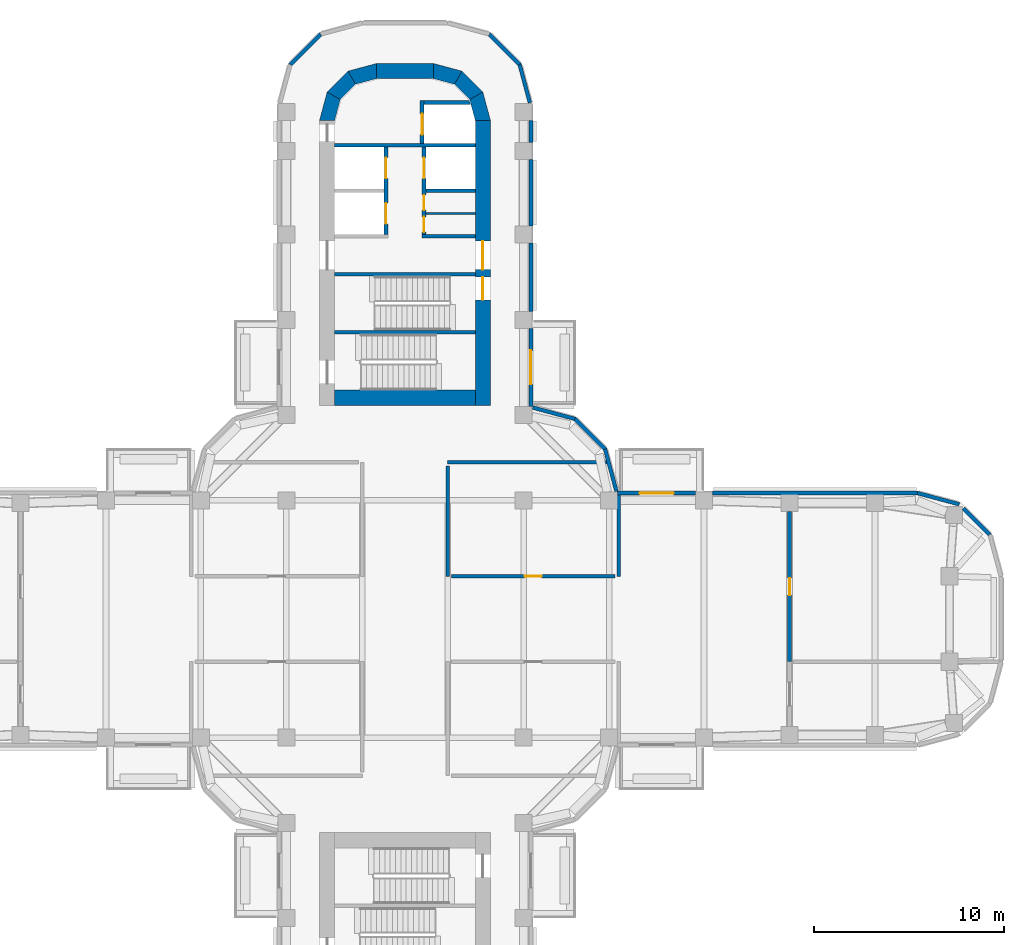
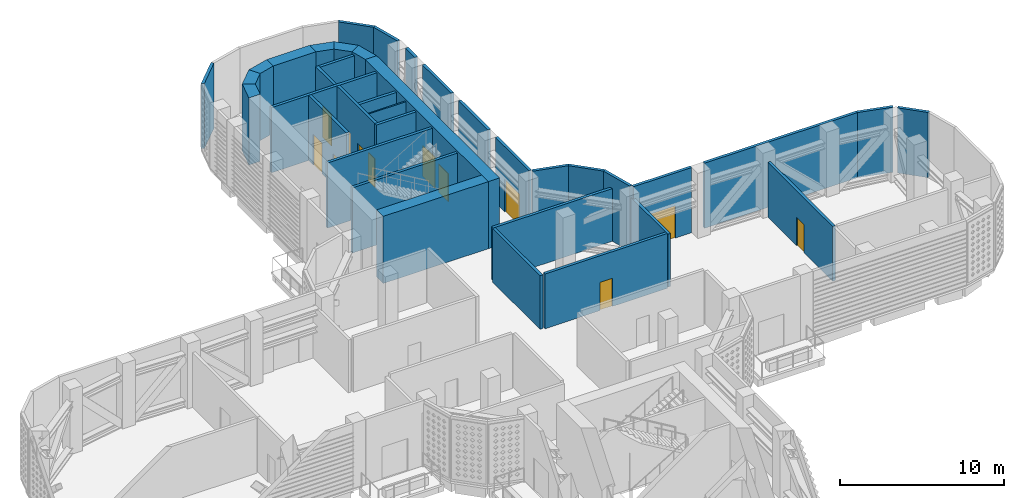
# One storey, part 7 of 20: 38 walls, 12 doors, 12 openings.
"""IFC4 building model written with IfcOpenShell, lengths in metres."""

from ifc_helpers import new_model, si_unit, direction, frame, frame_2d, origin, place, context, subcontext, project, spatial, polyline, rectangle, outline, extrude, material, layer, layer_set, type_object, element, fill, save


model = new_model("IFC4")

# Units and contexts
model_context = context("Model", 3, precision=1e-05, world=origin(), true_north=direction((0.0, 1.0)))
body_context = subcontext(model_context, "Body", "Model", "MODEL_VIEW")
ifc_project = project(units=[si_unit("LENGTHUNIT", "METRE"), si_unit("AREAUNIT", "SQUARE_METRE"), si_unit("VOLUMEUNIT", "CUBIC_METRE"), si_unit("PLANEANGLEUNIT", "RADIAN"), si_unit("MASSUNIT", "GRAM", prefix="KILO")], contexts=[model_context])

# Site, building, storey
site_placement = place(None, origin())
site = spatial("IfcSite", under=ifc_project, at=site_placement, CompositionType="ELEMENT")
building_placement = place(site_placement, origin())
building = spatial("IfcBuilding", under=site, at=building_placement, Name="Zarbagh Exchange Tower", CompositionType="ELEMENT")
storey_placement = place(building_placement, frame((0.0, 0.0, 136.0)))
storey = spatial("IfcBuildingStorey", under=building, at=storey_placement, Name="L32", CompositionType="ELEMENT", Elevation=136.0)

# Walls
ifc_material_1 = material(Name="Dense blockwork", Category="masonry")
ifc_layer_1 = layer(ifc_material_1, 0.10009765625)
ifc_layer_set_1 = layer_set([ifc_layer_1], Name="Core partition 100 mm blockwork")
wall_type_1 = type_object("IfcWallType", Name="Core partition 100 mm blockwork", PredefinedType="PARTITIONING", material=ifc_layer_set_1)
wall_1_placement = place(storey_placement, frame((1.10009765625, 21.35009765625, 0.0), z_axis=(0.0, 0.0, 1.0), x_axis=(1.0, 0.0, 0.0)))
element("IfcWall", 1, at=wall_1_placement, inside=storey, type_object=wall_type_1, Name="North core partition wall CUT-E-700", PredefinedType="PARTITIONING", context=body_context, shape_type="SweptSolid", body=[
    extrude(rectangle(XDim=2.599853515625, YDim=0.10009765625, at=frame_2d((1.2998046875, 0.0))), origin(), (0.0, 0.0, 1.0), 4.85009765625),
])
ifc_material_2 = material(Name="Concrete block partition", Category="concrete")
ifc_layer_2 = layer(ifc_material_2, 0.199951171875)
ifc_layer_set_2 = layer_set([ifc_layer_2], Name="Fire-rated block partition 200 EI 60")
wall_type_2 = type_object("IfcWallType", Name="Fire-rated block partition 200 EI 60", PredefinedType="PARTITIONING", material=ifc_layer_set_2)
wall_2_placement = place(storey_placement, frame((10.84814453125, 8.25, 0.0), z_axis=(0.0, 0.0, 1.0), x_axis=(-1.0, 0.0, 0.0)))
element("IfcWall", 2, at=wall_2_placement, inside=storey, type_object=wall_type_2, Name="WL-L32-W001", PredefinedType="PARTITIONING", context=body_context, shape_type="SweptSolid", body=[
    extrude(rectangle(XDim=8.59814453125, YDim=0.199951171875, at=frame_2d((4.299072265625, 0.0))), origin(), (0.0, 0.0, 1.0), 3.929931640625),
])
wall_3_placement = place(storey_placement, frame((2.25, 8.050048828125, 0.0), z_axis=(0.0, 0.0, 1.0), x_axis=(0.0, -1.0, 0.0)))
element("IfcWall", 3, at=wall_3_placement, inside=storey, type_object=wall_type_2, Name="WL-L32-W002", PredefinedType="PARTITIONING", context=body_context, shape_type="SweptSolid", body=[
    extrude(rectangle(XDim=5.800048828125, YDim=0.199951171875, at=frame_2d((2.89990234375, 0.0))), origin(), (0.0, 0.0, 1.0), 3.994384765625),
])
wall_4_placement = place(storey_placement, frame((11.25, 6.75, 0.0), z_axis=(0.0, 0.0, 1.0), x_axis=(0.0, -1.0, 0.0)))
element("IfcWall", 4, at=wall_4_placement, inside=storey, type_object=wall_type_2, Name="WL-L32-W009", PredefinedType="PARTITIONING", context=body_context, shape_type="SweptSolid", body=[
    extrude(rectangle(XDim=4.5, YDim=0.199951171875, at=frame_2d((2.25, 0.0))), origin(), (0.0, 0.0, 1.0), 3.929931640625),
])

# Wall, opening, door
wall_5_placement = place(storey_placement, frame((2.449951171875, 2.25, 0.0), z_axis=(0.0, 0.0, 1.0), x_axis=(1.0, 0.0, 0.0)))
wall_5 = element("IfcWall", 5, at=wall_5_placement, inside=storey, type_object=wall_type_2, Name="WL-L32-W010", PredefinedType="PARTITIONING", context=body_context, shape_type="SweptSolid", body=[
    extrude(rectangle(XDim=8.60009765625, YDim=0.199951171875, at=frame_2d((4.300048828125, 0.0))), origin(), (0.0, 0.0, 1.0), 4.080810546875),
])
opening_1_placement = place(wall_5_placement, frame((3.85009765625, 0.0, 0.0)))
opening_1 = element("IfcOpeningElement", 6, at=opening_1_placement, cuts=wall_5, Name="Opening D01", PredefinedType="OPENING", context=body_context, shape_type="SweptSolid", body=[
    extrude(rectangle(XDim=0.89990234375, YDim=2.10009765625, at=frame_2d((0.449951171875, 1.050048828125))), frame((0.0, 0.10986328125, 0.0), z_axis=(0.0, -1.0, 0.0), x_axis=(1.0, 0.0, 0.0)), (0.0, 0.0, 1.0), 0.219970703125),
])
ifc_material_3 = material(Name="Steel door set", Category="steel")
door_type_1 = type_object("IfcDoorType", Name="Door single 900x2100 EI 60", OperationType="SINGLE_SWING_LEFT", PredefinedType="DOOR", material=ifc_material_3)
door_1_placement = place(opening_1_placement, origin())
door_1 = element("IfcDoor", 7, at=door_1_placement, inside=storey, type_object=door_type_1, Name="D01", OperationType="SINGLE_SWING_LEFT", OverallHeight=2.10009765625, OverallWidth=0.89990234375, PredefinedType="DOOR", context=body_context, shape_type="SweptSolid", body=[
    extrude(rectangle(XDim=0.89990234375, YDim=2.10009765625, at=frame_2d((0.449951171875, 1.050048828125))), frame((0.0, 0.02490234375, 0.0), z_axis=(0.0, -1.0, 0.0), x_axis=(1.0, 0.0, 0.0)), (0.0, 0.0, 1.0), 0.050048828125),
])
fill(opening_1, door_1)

wall_6_placement = place(storey_placement, frame((20.25, 5.659912109375, 0.0), z_axis=(0.0, 0.0, 1.0), x_axis=(0.0, -1.0, 0.0)))
wall_6 = element("IfcWall", 8, at=wall_6_placement, inside=storey, type_object=wall_type_2, Name="WL-L32-W018", PredefinedType="PARTITIONING", context=body_context, shape_type="SweptSolid", body=[
    extrude(rectangle(XDim=7.909912109375, YDim=0.199951171875, at=frame_2d((3.955078125, 0.0))), origin(), (0.0, 0.0, 1.0), 4.080810546875),
])
opening_2_placement = place(wall_6_placement, frame((3.5048828125, 0.0, 0.0)))
opening_2 = element("IfcOpeningElement", 9, at=opening_2_placement, cuts=wall_6, Name="Opening D06", PredefinedType="OPENING", context=body_context, shape_type="SweptSolid", body=[
    extrude(rectangle(XDim=0.89990234375, YDim=2.10009765625, at=frame_2d((0.449951171875, 1.050048828125))), frame((0.0, 0.10986328125, 0.0), z_axis=(0.0, -1.0, 0.0), x_axis=(1.0, 0.0, 0.0)), (0.0, 0.0, 1.0), 0.219970703125),
])
door_2_placement = place(opening_2_placement, origin())
door_2 = element("IfcDoor", 10, at=door_2_placement, inside=storey, type_object=door_type_1, Name="D06", OperationType="SINGLE_SWING_LEFT", OverallHeight=2.10009765625, OverallWidth=0.89990234375, PredefinedType="DOOR", context=body_context, shape_type="SweptSolid", body=[
    extrude(rectangle(XDim=0.89990234375, YDim=2.10009765625, at=frame_2d((0.449951171875, 1.050048828125))), frame((0.0, 0.02490234375, 0.0), z_axis=(0.0, -1.0, 0.0), x_axis=(1.0, 0.0, 0.0)), (0.0, 0.0, 1.0), 0.050048828125),
])
fill(opening_2, door_2)

# Walls
ifc_material_4 = material(Name="Precast concrete C50/60", Category="concrete")
ifc_layer_3 = layer(ifc_material_4, 0.199951171875)
ifc_layer_set_3 = layer_set([ifc_layer_3], Name="Plant wall, precast concrete C50/60")
wall_type_3 = type_object("IfcWallType", Name="Plant wall, precast concrete C50/60", PredefinedType="SOLIDWALL", material=ifc_layer_set_3)
wall_7_placement = place(storey_placement, origin())
element("IfcWall", 11, at=wall_7_placement, inside=storey, type_object=wall_type_3, Name="PW55 plant wall", PredefinedType="SOLIDWALL", context=body_context, shape_type="SweptSolid", body=[
    extrude(outline(polyline([(30.879150390625, 4.48974609375), (29.46875, 5.900146484375), (29.327392578125, 5.7587890625), (30.699951171875, 4.38623046875), (30.879150390625, 4.48974609375)])), origin(), (0.0, 0.0, 1.0), 4.85009765625),
])
wall_8_placement = place(storey_placement, origin())
element("IfcWall", 12, at=wall_8_placement, inside=storey, type_object=wall_type_3, Name="PW56 plant wall", PredefinedType="SOLIDWALL", context=body_context, shape_type="SweptSolid", body=[
    extrude(outline(polyline([(29.23974609375, 6.129150390625), (26.997314453125, 6.72998046875), (26.970947265625, 6.530029296875), (29.13623046875, 5.949951171875), (29.23974609375, 6.129150390625)])), origin(), (0.0, 0.0, 1.0), 4.85009765625),
])
wall_9_placement = place(storey_placement, origin())
element("IfcWall", 13, at=wall_9_placement, inside=storey, type_object=wall_type_3, Name="PW57 plant wall", PredefinedType="SOLIDWALL", context=body_context, shape_type="SweptSolid", body=[
    extrude(outline(polyline([(26.997314453125, 6.72998046875), (16.199951171875, 6.72998046875), (16.199951171875, 6.530029296875), (26.970947265625, 6.530029296875), (26.997314453125, 6.72998046875)])), origin(), (0.0, 0.0, 1.0), 4.85009765625),
])
wall_10_placement = place(storey_placement, origin())
element("IfcWall", 14, at=wall_10_placement, inside=storey, type_object=wall_type_3, Name="PW17 plant wall", PredefinedType="SOLIDWALL", context=body_context, shape_type="SweptSolid", body=[
    extrude(outline(polyline([(11.228759765625, 6.75244140625), (10.629150390625, 8.98974609375), (10.449951171875, 8.88623046875), (11.035400390625, 6.70068359375), (11.228759765625, 6.75244140625)])), origin(), (0.0, 0.0, 1.0), 4.85009765625),
])
wall_11_placement = place(storey_placement, origin())
element("IfcWall", 15, at=wall_11_placement, inside=storey, type_object=wall_type_3, Name="PW18 plant wall", PredefinedType="SOLIDWALL", context=body_context, shape_type="SweptSolid", body=[
    extrude(outline(polyline([(10.629150390625, 8.98974609375), (8.98974609375, 10.629150390625), (8.88623046875, 10.449951171875), (10.449951171875, 8.88623046875), (10.629150390625, 8.98974609375)])), origin(), (0.0, 0.0, 1.0), 4.85009765625),
])
wall_12_placement = place(storey_placement, origin())
element("IfcWall", 16, at=wall_12_placement, inside=storey, type_object=wall_type_3, Name="PW19 plant wall", PredefinedType="SOLIDWALL", context=body_context, shape_type="SweptSolid", body=[
    extrude(outline(polyline([(8.98974609375, 10.629150390625), (6.75244140625, 11.228759765625), (6.70068359375, 11.035400390625), (8.88623046875, 10.449951171875), (8.98974609375, 10.629150390625)])), origin(), (0.0, 0.0, 1.0), 4.85009765625),
])
wall_13_placement = place(storey_placement, origin())
element("IfcWall", 17, at=wall_13_placement, inside=storey, type_object=wall_type_3, Name="PW58 plant wall", PredefinedType="SOLIDWALL", context=body_context, shape_type="SweptSolid", body=[
    extrude(outline(polyline([(6.72998046875, 16.199951171875), (6.72998046875, 19.800048828125), (6.530029296875, 19.800048828125), (6.530029296875, 16.199951171875), (6.72998046875, 16.199951171875)])), origin(), (0.0, 0.0, 1.0), 4.85009765625),
])
wall_14_placement = place(storey_placement, origin())
element("IfcWall", 18, at=wall_14_placement, inside=storey, type_object=wall_type_3, Name="PW58 plant wall", PredefinedType="SOLIDWALL", context=body_context, shape_type="SweptSolid", body=[
    extrude(outline(polyline([(6.72998046875, 20.699951171875), (6.72998046875, 24.199951171875), (6.530029296875, 24.199951171875), (6.530029296875, 20.699951171875), (6.72998046875, 20.699951171875)])), origin(), (0.0, 0.0, 1.0), 4.85009765625),
])
wall_15_placement = place(storey_placement, origin())
element("IfcWall", 19, at=wall_15_placement, inside=storey, type_object=wall_type_3, Name="PW58 plant wall", PredefinedType="SOLIDWALL", context=body_context, shape_type="SweptSolid", body=[
    extrude(outline(polyline([(6.72998046875, 25.10009765625), (6.72998046875, 26.25), (6.530029296875, 26.25), (6.530029296875, 25.10009765625), (6.72998046875, 25.10009765625)])), origin(), (0.0, 0.0, 1.0), 4.85009765625),
])
wall_16_placement = place(storey_placement, origin())
element("IfcWall", 20, at=wall_16_placement, inside=storey, type_object=wall_type_3, Name="PW59 plant wall", PredefinedType="SOLIDWALL", context=body_context, shape_type="SweptSolid", body=[
    extrude(outline(polyline([(6.675048828125, 27.202392578125), (6.129150390625, 29.23974609375), (5.949951171875, 29.13623046875), (6.48193359375, 27.150634765625), (6.675048828125, 27.202392578125)])), origin(), (0.0, 0.0, 1.0), 4.85009765625),
])
wall_17_placement = place(storey_placement, origin())
element("IfcWall", 21, at=wall_17_placement, inside=storey, type_object=wall_type_3, Name="PW60 plant wall", PredefinedType="SOLIDWALL", context=body_context, shape_type="SweptSolid", body=[
    extrude(outline(polyline([(6.129150390625, 29.23974609375), (4.48974609375, 30.879150390625), (4.38623046875, 30.699951171875), (5.949951171875, 29.13623046875), (6.129150390625, 29.23974609375)])), origin(), (0.0, 0.0, 1.0), 4.85009765625),
])
wall_18_placement = place(storey_placement, origin())
element("IfcWall", 22, at=wall_18_placement, inside=storey, type_object=wall_type_3, Name="PW64 plant wall", PredefinedType="SOLIDWALL", context=body_context, shape_type="SweptSolid", body=[
    extrude(outline(polyline([(-4.48974609375, 30.879150390625), (-6.129150390625, 29.23974609375), (-5.949951171875, 29.13623046875), (-4.38623046875, 30.699951171875), (-4.48974609375, 30.879150390625)])), origin(), (0.0, 0.0, 1.0), 4.85009765625),
])
ifc_material_5 = material(Name="Concrete C60/75", Category="concrete")
ifc_layer_4 = layer(ifc_material_5, 0.800048828125)
ifc_layer_set_4 = layer_set([ifc_layer_4], Name="RC core corner wall 800 C60/75")
wall_type_4 = type_object("IfcWallType", Name="RC core corner wall 800 C60/75", PredefinedType="SHEAR", material=ifc_layer_set_4)
wall_19_placement = place(storey_placement, origin())
element("IfcWall", 23, at=wall_19_placement, inside=storey, type_object=wall_type_4, Name="CW4 core N corner W", PredefinedType="SHEAR", context=body_context, shape_type="SweptSolid", body=[
    extrude(outline(polyline([(-4.5, 26.25), (-4.09814453125, 27.75), (-3.4052734375, 27.35009765625), (-3.699951171875, 26.25), (-4.5, 26.25)])), origin(), (0.0, 0.0, 1.0), 5.0),
])
wall_20_placement = place(storey_placement, origin())
element("IfcWall", 24, at=wall_20_placement, inside=storey, type_object=wall_type_4, Name="CW4 core N corner W", PredefinedType="SHEAR", context=body_context, shape_type="SweptSolid", body=[
    extrude(outline(polyline([(-4.09814453125, 27.75), (-3.0, 28.84814453125), (-2.60009765625, 28.1552734375), (-3.4052734375, 27.35009765625), (-4.09814453125, 27.75)])), origin(), (0.0, 0.0, 1.0), 5.0),
])
wall_21_placement = place(storey_placement, origin())
element("IfcWall", 25, at=wall_21_placement, inside=storey, type_object=wall_type_4, Name="CW4 core N corner W", PredefinedType="SHEAR", context=body_context, shape_type="SweptSolid", body=[
    extrude(outline(polyline([(-3.0, 28.84814453125), (-1.5, 29.25), (-1.5, 28.449951171875), (-2.60009765625, 28.1552734375), (-3.0, 28.84814453125)])), origin(), (0.0, 0.0, 1.0), 5.0),
])
wall_22_placement = place(storey_placement, origin())
element("IfcWall", 26, at=wall_22_placement, inside=storey, type_object=wall_type_4, Name="CW4 core N corner E", PredefinedType="SHEAR", context=body_context, shape_type="SweptSolid", body=[
    extrude(outline(polyline([(4.5, 26.25), (4.09814453125, 27.75), (3.4052734375, 27.35009765625), (3.699951171875, 26.25), (4.5, 26.25)])), origin(), (0.0, 0.0, 1.0), 5.0),
])
wall_23_placement = place(storey_placement, origin())
element("IfcWall", 27, at=wall_23_placement, inside=storey, type_object=wall_type_4, Name="CW4 core N corner E", PredefinedType="SHEAR", context=body_context, shape_type="SweptSolid", body=[
    extrude(outline(polyline([(4.09814453125, 27.75), (3.0, 28.84814453125), (2.60009765625, 28.1552734375), (3.4052734375, 27.35009765625), (4.09814453125, 27.75)])), origin(), (0.0, 0.0, 1.0), 5.0),
])
wall_24_placement = place(storey_placement, origin())
element("IfcWall", 28, at=wall_24_placement, inside=storey, type_object=wall_type_4, Name="CW4 core N corner E", PredefinedType="SHEAR", context=body_context, shape_type="SweptSolid", body=[
    extrude(outline(polyline([(3.0, 28.84814453125), (1.5, 29.25), (1.5, 28.449951171875), (2.60009765625, 28.1552734375), (3.0, 28.84814453125)])), origin(), (0.0, 0.0, 1.0), 5.0),
])

# Wall, openings, doors
ifc_layer_5 = layer(ifc_material_5, 0.800048828125)
ifc_layer_set_5 = layer_set([ifc_layer_5], Name="RC core wall 800 C60/75")
wall_type_5 = type_object("IfcWallType", Name="RC core wall 800 C60/75", PredefinedType="SHEAR", material=ifc_layer_set_5)
wall_25_placement = place(storey_placement, frame((4.10009765625, 11.25, 0.0), z_axis=(0.0, 0.0, 1.0), x_axis=(0.0, 1.0, 0.0)))
wall_25 = element("IfcWall", 29, at=wall_25_placement, inside=storey, type_object=wall_type_5, Name="CW3 core N E", PredefinedType="SHEAR", context=body_context, shape_type="SweptSolid", body=[
    extrude(rectangle(XDim=15.0, YDim=0.800048828125, at=frame_2d((7.5, 0.0))), origin(), (0.0, 0.0, 1.0), 5.0),
])
opening_3_placement = place(wall_25_placement, frame((7.14990234375, 0.0, 0.0)))
opening_3 = element("IfcOpeningElement", 30, at=opening_3_placement, cuts=wall_25, Name="Opening CD1-1500", PredefinedType="OPENING", context=body_context, shape_type="SweptSolid", body=[
    extrude(rectangle(XDim=1.5, YDim=2.300048828125, at=frame_2d((0.75, 1.14990234375))), frame((0.0, 0.409912109375, 0.0), z_axis=(0.0, -1.0, 0.0), x_axis=(1.0, 0.0, 0.0)), (0.0, 0.0, 1.0), 0.820068359375),
])
opening_4_placement = place(wall_25_placement, frame((5.550048828125, 0.0, 0.0)))
opening_4 = element("IfcOpeningElement", 31, at=opening_4_placement, cuts=wall_25, Name="Opening SD1-1200", PredefinedType="OPENING", context=body_context, shape_type="SweptSolid", body=[
    extrude(rectangle(XDim=1.199951171875, YDim=2.10009765625, at=frame_2d((0.60009765625, 1.050048828125))), frame((0.0, 0.409912109375, 0.0), z_axis=(0.0, -1.0, 0.0), x_axis=(1.0, 0.0, 0.0)), (0.0, 0.0, 1.0), 0.820068359375),
])
ifc_material_6 = material(Name="Steel", Category="steel")
door_type_2 = type_object("IfcDoorType", Name="Exit stair door 1200 x 2100", OperationType="NOTDEFINED", PredefinedType="DOOR", material=ifc_material_6)
door_3_placement = place(opening_4_placement, origin())
door_3 = element("IfcDoor", 32, at=door_3_placement, inside=storey, type_object=door_type_2, Name="North core stair door ST1", OperationType="SINGLE_SWING_LEFT", OverallHeight=2.10009765625, OverallWidth=1.199951171875, PredefinedType="DOOR", context=body_context, shape_type="SweptSolid", body=[
    extrude(rectangle(XDim=1.199951171875, YDim=2.10009765625, at=frame_2d((0.60009765625, 1.050048828125))), frame((0.0, 0.02490234375, 0.0), z_axis=(0.0, -1.0, 0.0), x_axis=(1.0, 0.0, 0.0)), (0.0, 0.0, 1.0), 0.050048828125),
])
fill(opening_4, door_3)
door_type_3 = type_object("IfcDoorType", Name="Lift lobby double door 1500 x 2300", OperationType="NOTDEFINED", PredefinedType="DOOR", material=ifc_material_6)
door_4_placement = place(opening_3_placement, origin())
door_4 = element("IfcDoor", 33, at=door_4_placement, inside=storey, type_object=door_type_3, Name="North core lift lobby door LOBBY-E", OperationType="DOUBLE_DOOR_SINGLE_SWING", OverallHeight=2.300048828125, OverallWidth=1.5, PredefinedType="DOOR", context=body_context, shape_type="SweptSolid", body=[
    extrude(rectangle(XDim=1.5, YDim=2.300048828125, at=frame_2d((0.75, 1.14990234375))), frame((0.0, 0.02490234375, 0.0), z_axis=(0.0, -1.0, 0.0), x_axis=(1.0, 0.0, 0.0)), (0.0, 0.0, 1.0), 0.050048828125),
])
fill(opening_3, door_4)

# Walls
wall_26_placement = place(storey_placement, frame((-3.699951171875, 11.64990234375, 0.0), z_axis=(0.0, 0.0, 1.0), x_axis=(1.0, 0.0, 0.0)))
element("IfcWall", 34, at=wall_26_placement, inside=storey, type_object=wall_type_5, Name="CW3 core N inner end", PredefinedType="SHEAR", context=body_context, shape_type="SweptSolid", body=[
    extrude(rectangle(XDim=7.39990234375, YDim=0.800048828125, at=frame_2d((3.699951171875, 0.0))), origin(), (0.0, 0.0, 1.0), 5.0),
])
wall_27_placement = place(storey_placement, frame((-1.5, 28.85009765625, 0.0), z_axis=(0.0, 0.0, 1.0), x_axis=(1.0, 0.0, 0.0)))
element("IfcWall", 35, at=wall_27_placement, inside=storey, type_object=wall_type_5, Name="CW3 core N outer end", PredefinedType="SHEAR", context=body_context, shape_type="SweptSolid", body=[
    extrude(rectangle(XDim=3.0, YDim=0.800048828125, at=frame_2d((1.5, 0.0))), origin(), (0.0, 0.0, 1.0), 5.0),
])

# Wall, openings, doors
ifc_layer_6 = layer(ifc_material_1, 0.199951171875)
ifc_layer_set_6 = layer_set([ifc_layer_6], Name="Shaft wall 200 mm blockwork")
wall_type_6 = type_object("IfcWallType", Name="Shaft wall 200 mm blockwork", PredefinedType="PARTITIONING", material=ifc_layer_set_6)
wall_28_placement = place(storey_placement, frame((-1.0, 24.85009765625, 0.0), z_axis=(0.0, 0.0, 1.0), x_axis=(0.0, -1.0, 0.0)))
wall_28 = element("IfcWall", 36, at=wall_28_placement, inside=storey, type_object=wall_type_6, Name="North core shaft wall LW-W", PredefinedType="PARTITIONING", context=body_context, shape_type="SweptSolid", body=[
    extrude(rectangle(XDim=4.60009765625, YDim=0.199951171875, at=frame_2d((2.300048828125, 0.0))), origin(), (0.0, 0.0, 1.0), 4.85009765625),
])
opening_5_placement = place(wall_28_placement, frame((0.550048828125, 0.0, 0.0)))
opening_5 = element("IfcOpeningElement", 37, at=opening_5_placement, cuts=wall_28, Name="Opening LD-1100", PredefinedType="OPENING", context=body_context, shape_type="SweptSolid", body=[
    extrude(rectangle(XDim=1.10009765625, YDim=2.300048828125, at=frame_2d((0.550048828125, 1.14990234375))), frame((0.0, 0.10986328125, 0.0), z_axis=(0.0, -1.0, 0.0), x_axis=(1.0, 0.0, 0.0)), (0.0, 0.0, 1.0), 0.219970703125),
])
opening_6_placement = place(wall_28_placement, frame((2.949951171875, 0.0, 0.0)))
opening_6 = element("IfcOpeningElement", 38, at=opening_6_placement, cuts=wall_28, Name="Opening LD-1100", PredefinedType="OPENING", context=body_context, shape_type="SweptSolid", body=[
    extrude(rectangle(XDim=1.10009765625, YDim=2.300048828125, at=frame_2d((0.550048828125, 1.14990234375))), frame((0.0, 0.10986328125, 0.0), z_axis=(0.0, -1.0, 0.0), x_axis=(1.0, 0.0, 0.0)), (0.0, 0.0, 1.0), 0.219970703125),
])
ifc_material_7 = material(Name="Stainless steel", Category="steel")
door_type_4 = type_object("IfcDoorType", Name="Lift landing door 1100 x 2300", OperationType="NOTDEFINED", PredefinedType="DOOR", material=ifc_material_7)
door_5_placement = place(opening_5_placement, origin())
door_5 = element("IfcDoor", 39, at=door_5_placement, inside=storey, type_object=door_type_4, Name="North core lift landing door LD-P-N1", OperationType="DOUBLE_DOOR_SLIDING", OverallHeight=2.300048828125, OverallWidth=1.10009765625, PredefinedType="DOOR", context=body_context, shape_type="SweptSolid", body=[
    extrude(rectangle(XDim=1.10009765625, YDim=2.300048828125, at=frame_2d((0.550048828125, 1.14990234375))), frame((0.0, 0.02490234375, 0.0), z_axis=(0.0, -1.0, 0.0), x_axis=(1.0, 0.0, 0.0)), (0.0, 0.0, 1.0), 0.050048828125),
])
fill(opening_5, door_5)
door_6_placement = place(opening_6_placement, origin())
door_6 = element("IfcDoor", 40, at=door_6_placement, inside=storey, type_object=door_type_4, Name="North core lift landing door LD-P-N2", OperationType="DOUBLE_DOOR_SLIDING", OverallHeight=2.300048828125, OverallWidth=1.10009765625, PredefinedType="DOOR", context=body_context, shape_type="SweptSolid", body=[
    extrude(rectangle(XDim=1.10009765625, YDim=2.300048828125, at=frame_2d((0.550048828125, 1.14990234375))), frame((0.0, 0.02490234375, 0.0), z_axis=(0.0, -1.0, 0.0), x_axis=(1.0, 0.0, 0.0)), (0.0, 0.0, 1.0), 0.050048828125),
])
fill(opening_6, door_6)

# Wall
wall_29_placement = place(storey_placement, frame((0.89990234375, 20.14990234375, 0.0), z_axis=(0.0, 0.0, 1.0), x_axis=(1.0, 0.0, 0.0)))
element("IfcWall", 41, at=wall_29_placement, inside=storey, type_object=wall_type_6, Name="North core shaft wall AB-E", PredefinedType="PARTITIONING", context=body_context, shape_type="SweptSolid", body=[
    extrude(rectangle(XDim=2.800048828125, YDim=0.199951171875, at=frame_2d((1.39990234375, 0.0))), origin(), (0.0, 0.0, 1.0), 4.85009765625),
])

# Wall, openings, doors
wall_30_placement = place(storey_placement, frame((1.0, 24.85009765625, 0.0), z_axis=(0.0, 0.0, 1.0), x_axis=(0.0, -1.0, 0.0)))
wall_30 = element("IfcWall", 42, at=wall_30_placement, inside=storey, type_object=wall_type_6, Name="North core shaft wall LW-E", PredefinedType="PARTITIONING", context=body_context, shape_type="SweptSolid", body=[
    extrude(rectangle(XDim=4.60009765625, YDim=0.199951171875, at=frame_2d((2.300048828125, 0.0))), origin(), (0.0, 0.0, 1.0), 4.85009765625),
])
opening_7_placement = place(wall_30_placement, frame((0.550048828125, 0.0, 0.0)))
opening_7 = element("IfcOpeningElement", 43, at=opening_7_placement, cuts=wall_30, Name="Opening LD-1100", PredefinedType="OPENING", context=body_context, shape_type="SweptSolid", body=[
    extrude(rectangle(XDim=1.10009765625, YDim=2.300048828125, at=frame_2d((0.550048828125, 1.14990234375))), frame((0.0, 0.10986328125, 0.0), z_axis=(0.0, -1.0, 0.0), x_axis=(1.0, 0.0, 0.0)), (0.0, 0.0, 1.0), 0.219970703125),
])
opening_8_placement = place(wall_30_placement, frame((2.52490234375, 0.0, 0.0)))
opening_8 = element("IfcOpeningElement", 44, at=opening_8_placement, cuts=wall_30, Name="Opening CD3-800", PredefinedType="OPENING", context=body_context, shape_type="SweptSolid", body=[
    extrude(rectangle(XDim=0.800048828125, YDim=2.10009765625, at=frame_2d((0.39990234375, 1.050048828125))), frame((0.0, 0.10986328125, 0.0), z_axis=(0.0, -1.0, 0.0), x_axis=(1.0, 0.0, 0.0)), (0.0, 0.0, 1.0), 0.219970703125),
])
opening_9_placement = place(wall_30_placement, frame((3.675048828125, 0.0, 0.0)))
opening_9 = element("IfcOpeningElement", 45, at=opening_9_placement, cuts=wall_30, Name="Opening CD3-800", PredefinedType="OPENING", context=body_context, shape_type="SweptSolid", body=[
    extrude(rectangle(XDim=0.800048828125, YDim=2.10009765625, at=frame_2d((0.39990234375, 1.050048828125))), frame((0.0, 0.10986328125, 0.0), z_axis=(0.0, -1.0, 0.0), x_axis=(1.0, 0.0, 0.0)), (0.0, 0.0, 1.0), 0.219970703125),
])
door_type_5 = type_object("IfcDoorType", Name="Core room door 800 x 2100", OperationType="NOTDEFINED", PredefinedType="DOOR", material=ifc_material_6)
door_7_placement = place(opening_8_placement, origin())
door_7 = element("IfcDoor", 46, at=door_7_placement, inside=storey, type_object=door_type_5, Name="North core Mechanical store door RD-E-0", OperationType="SINGLE_SWING_LEFT", OverallHeight=2.10009765625, OverallWidth=0.800048828125, PredefinedType="DOOR", context=body_context, shape_type="SweptSolid", body=[
    extrude(rectangle(XDim=0.800048828125, YDim=2.10009765625, at=frame_2d((0.39990234375, 1.050048828125))), frame((0.0, 0.02490234375, 0.0), z_axis=(0.0, -1.0, 0.0), x_axis=(1.0, 0.0, 0.0)), (0.0, 0.0, 1.0), 0.050048828125),
])
fill(opening_8, door_7)
door_8_placement = place(opening_9_placement, origin())
door_8 = element("IfcDoor", 47, at=door_8_placement, inside=storey, type_object=door_type_5, Name="North core Control room door RD-E-1", OperationType="SINGLE_SWING_LEFT", OverallHeight=2.10009765625, OverallWidth=0.800048828125, PredefinedType="DOOR", context=body_context, shape_type="SweptSolid", body=[
    extrude(rectangle(XDim=0.800048828125, YDim=2.10009765625, at=frame_2d((0.39990234375, 1.050048828125))), frame((0.0, 0.02490234375, 0.0), z_axis=(0.0, -1.0, 0.0), x_axis=(1.0, 0.0, 0.0)), (0.0, 0.0, 1.0), 0.050048828125),
])
fill(opening_9, door_8)
door_9_placement = place(opening_7_placement, origin())
door_9 = element("IfcDoor", 48, at=door_9_placement, inside=storey, type_object=door_type_4, Name="North core lift landing door LD-P-N3", OperationType="DOUBLE_DOOR_SLIDING", OverallHeight=2.300048828125, OverallWidth=1.10009765625, PredefinedType="DOOR", context=body_context, shape_type="SweptSolid", body=[
    extrude(rectangle(XDim=1.10009765625, YDim=2.300048828125, at=frame_2d((0.550048828125, 1.14990234375))), frame((0.0, 0.02490234375, 0.0), z_axis=(0.0, -1.0, 0.0), x_axis=(1.0, 0.0, 0.0)), (0.0, 0.0, 1.0), 0.050048828125),
])
fill(opening_7, door_9)

# Walls
wall_31_placement = place(storey_placement, frame((1.10009765625, 22.550048828125, 0.0), z_axis=(0.0, 0.0, 1.0), x_axis=(1.0, 0.0, 0.0)))
element("IfcWall", 49, at=wall_31_placement, inside=storey, type_object=wall_type_6, Name="North core shaft wall TR-E", PredefinedType="PARTITIONING", context=body_context, shape_type="SweptSolid", body=[
    extrude(rectangle(XDim=2.599853515625, YDim=0.199951171875, at=frame_2d((1.2998046875, 0.0))), origin(), (0.0, 0.0, 1.0), 4.85009765625),
])
ifc_material_8 = material(Name="Concrete C40/50", Category="concrete")
ifc_layer_7 = layer(ifc_material_8, 0.199951171875)
ifc_layer_set_7 = layer_set([ifc_layer_7], Name="Stair enclosure wall 200 mm RC C40/50")
wall_type_7 = type_object("IfcWallType", Name="Stair enclosure wall 200 mm RC C40/50", PredefinedType="SHEAR", material=ifc_layer_set_7)
wall_32_placement = place(storey_placement, frame((-3.699951171875, 24.949951171875, 0.0), z_axis=(0.0, 0.0, 1.0), x_axis=(1.0, 0.0, 0.0)))
element("IfcWall", 50, at=wall_32_placement, inside=storey, type_object=wall_type_7, Name="North core lift shaft wall FFA", PredefinedType="SHEAR", context=body_context, shape_type="SweptSolid", body=[
    extrude(rectangle(XDim=7.39990234375, YDim=0.199951171875, at=frame_2d((3.699951171875, 0.0))), origin(), (0.0, 0.0, 1.0), 4.85009765625),
])

# Wall, opening, door
wall_33_placement = place(storey_placement, frame((0.89990234375, 27.300048828125, 0.0), z_axis=(0.0, 0.0, 1.0), x_axis=(0.0, -1.0, 0.0)))
wall_33 = element("IfcWall", 51, at=wall_33_placement, inside=storey, type_object=wall_type_7, Name="North core lift shaft wall FFL", PredefinedType="SHEAR", context=body_context, shape_type="SweptSolid", body=[
    extrude(rectangle(XDim=2.25, YDim=0.199951171875, at=frame_2d((1.125, 0.0))), origin(), (0.0, 0.0, 1.0), 4.85009765625),
])
opening_10_placement = place(wall_33_placement, frame((0.699951171875, 0.0, 0.0)))
opening_10 = element("IfcOpeningElement", 52, at=opening_10_placement, cuts=wall_33, Name="Opening LD-1100", PredefinedType="OPENING", context=body_context, shape_type="SweptSolid", body=[
    extrude(rectangle(XDim=1.10009765625, YDim=2.300048828125, at=frame_2d((0.550048828125, 1.14990234375))), frame((0.0, 0.10986328125, 0.0), z_axis=(0.0, -1.0, 0.0), x_axis=(1.0, 0.0, 0.0)), (0.0, 0.0, 1.0), 0.219970703125),
])
door_10_placement = place(opening_10_placement, origin())
door_10 = element("IfcDoor", 53, at=door_10_placement, inside=storey, type_object=door_type_4, Name="North core lift landing door LD-F", OperationType="DOUBLE_DOOR_SLIDING", OverallHeight=2.300048828125, OverallWidth=1.10009765625, PredefinedType="DOOR", context=body_context, shape_type="SweptSolid", body=[
    extrude(rectangle(XDim=1.10009765625, YDim=2.300048828125, at=frame_2d((0.550048828125, 1.14990234375))), frame((0.0, 0.02490234375, 0.0), z_axis=(0.0, -1.0, 0.0), x_axis=(1.0, 0.0, 0.0)), (0.0, 0.0, 1.0), 0.050048828125),
])
fill(opening_10, door_10)

# Walls
wall_34_placement = place(storey_placement, origin())
element("IfcWall", 54, at=wall_34_placement, inside=storey, type_object=wall_type_7, Name="North core lift shaft wall FFX", PredefinedType="SHEAR", context=body_context, shape_type="SweptSolid", body=[
    extrude(outline(polyline([(1.0, 27.10009765625), (3.444091796875, 27.10009765625), (3.390380859375, 27.300048828125), (1.0, 27.300048828125), (1.0, 27.10009765625)])), origin(), (0.0, 0.0, 1.0), 4.85009765625),
])
for number, where, z_axis, x_axis, name in (
    (55, (-3.699951171875, 18.14990234375, 0.0), (0.0, 0.0, 1.0), (1.0, 0.0, 0.0), "North core stair wall BS"),
    (56, (-3.699951171875, 15.10009765625, 0.0), (0.0, 0.0, 1.0), (1.0, 0.0, 0.0), "North core stair wall ST12"),
):
    element("IfcWall", number, at=place(storey_placement, frame(where, z_axis=z_axis, x_axis=x_axis)), inside=storey, type_object=wall_type_7, Name=name, PredefinedType="SHEAR", context=body_context, shape_type="SweptSolid", body=[
        extrude(rectangle(XDim=7.39990234375, YDim=0.199951171875, at=frame_2d((3.699951171875, 0.0))), origin(), (0.0, 0.0, 1.0), 4.85009765625),
    ])

# Wall, opening, door
ifc_layer_8 = layer(ifc_material_4, 0.199951171875)
ifc_layer_set_8 = layer_set([ifc_layer_8], Name="Terrace door wall, precast concrete C50/60")
wall_type_8 = type_object("IfcWallType", Name="Terrace door wall, precast concrete C50/60", PredefinedType="SOLIDWALL", material=ifc_layer_set_8)
wall_35_placement = place(storey_placement, frame((15.300048828125, 6.6298828125, 0.0), z_axis=(0.0, 0.0, 1.0), x_axis=(-1.0, 0.0, 0.0)))
wall_35 = element("IfcWall", 57, at=wall_35_placement, inside=storey, type_object=wall_type_8, Name="TW45 door wall", PredefinedType="SOLIDWALL", context=body_context, shape_type="SweptSolid", body=[
    extrude(rectangle(XDim=4.10009765625, YDim=0.199951171875, at=frame_2d((2.050048828125, 0.0))), origin(), (0.0, 0.0, 1.0), 4.85009765625),
])
opening_11_placement = place(wall_35_placement, frame((1.14990234375, 0.0, 0.0)))
opening_11 = element("IfcOpeningElement", 58, at=opening_11_placement, cuts=wall_35, Name="Opening TD02", PredefinedType="OPENING", context=body_context, shape_type="SweptSolid", body=[
    extrude(rectangle(XDim=1.800048828125, YDim=2.39990234375, at=frame_2d((0.89990234375, 1.199951171875))), frame((0.0, 0.10986328125, 0.0), z_axis=(0.0, -1.0, 0.0), x_axis=(1.0, 0.0, 0.0)), (0.0, 0.0, 1.0), 0.219970703125),
])
ifc_material_9 = material(Name="Anodised aluminium and glass", Category="aluminium")
door_type_6 = type_object("IfcDoorType", Name="Terrace door, double leaf, aluminium and glass", OperationType="DOUBLE_DOOR_DOUBLE_SWING", PredefinedType="DOOR", material=ifc_material_9)
door_11_placement = place(opening_11_placement, origin())
door_11 = element("IfcDoor", 59, at=door_11_placement, inside=storey, type_object=door_type_6, Name="TD02 terrace door", OperationType="SINGLE_SWING_LEFT", OverallHeight=2.39990234375, OverallWidth=1.800048828125, PredefinedType="DOOR", context=body_context, shape_type="SweptSolid", body=[
    extrude(rectangle(XDim=1.800048828125, YDim=2.39990234375, at=frame_2d((0.89990234375, 1.199951171875))), frame((0.0, 0.02490234375, 0.0), z_axis=(0.0, -1.0, 0.0), x_axis=(1.0, 0.0, 0.0)), (0.0, 0.0, 1.0), 0.050048828125),
])
fill(opening_11, door_11)

wall_36_placement = place(storey_placement, frame((6.6298828125, 11.199951171875, 0.0), z_axis=(0.0, 0.0, 1.0), x_axis=(0.0, 1.0, 0.0)))
wall_36 = element("IfcWall", 60, at=wall_36_placement, inside=storey, type_object=wall_type_8, Name="TW46 door wall", PredefinedType="SOLIDWALL", context=body_context, shape_type="SweptSolid", body=[
    extrude(rectangle(XDim=4.10009765625, YDim=0.199951171875, at=frame_2d((2.050048828125, 0.0))), origin(), (0.0, 0.0, 1.0), 4.85009765625),
])
opening_12_placement = place(wall_36_placement, frame((1.14990234375, 0.0, 0.0)))
opening_12 = element("IfcOpeningElement", 61, at=opening_12_placement, cuts=wall_36, Name="Opening TD02", PredefinedType="OPENING", context=body_context, shape_type="SweptSolid", body=[
    extrude(rectangle(XDim=1.800048828125, YDim=2.39990234375, at=frame_2d((0.89990234375, 1.199951171875))), frame((0.0, 0.10986328125, 0.0), z_axis=(0.0, -1.0, 0.0), x_axis=(1.0, 0.0, 0.0)), (0.0, 0.0, 1.0), 0.219970703125),
])
door_12_placement = place(opening_12_placement, origin())
door_12 = element("IfcDoor", 62, at=door_12_placement, inside=storey, type_object=door_type_6, Name="TD02 terrace door", OperationType="SINGLE_SWING_LEFT", OverallHeight=2.39990234375, OverallWidth=1.800048828125, PredefinedType="DOOR", context=body_context, shape_type="SweptSolid", body=[
    extrude(rectangle(XDim=1.800048828125, YDim=2.39990234375, at=frame_2d((0.89990234375, 1.199951171875))), frame((0.0, 0.02490234375, 0.0), z_axis=(0.0, -1.0, 0.0), x_axis=(1.0, 0.0, 0.0)), (0.0, 0.0, 1.0), 0.050048828125),
])
fill(opening_12, door_12)

save(model, "model.ifc")
